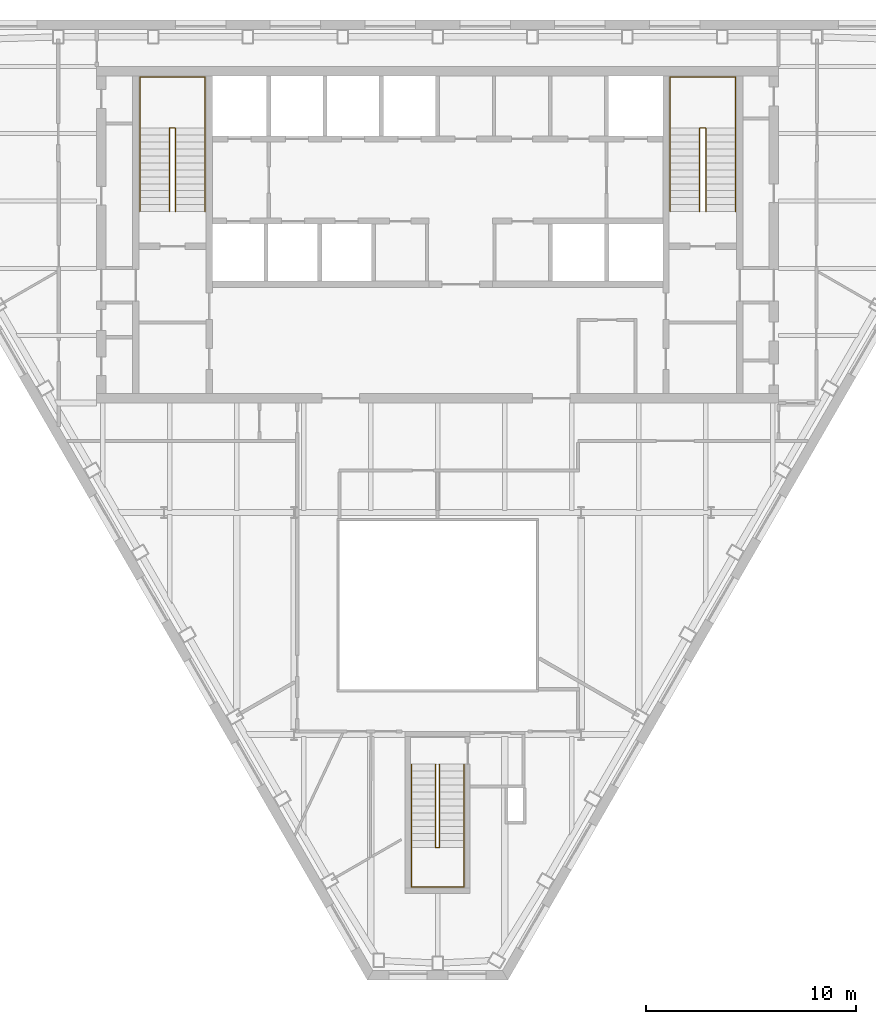
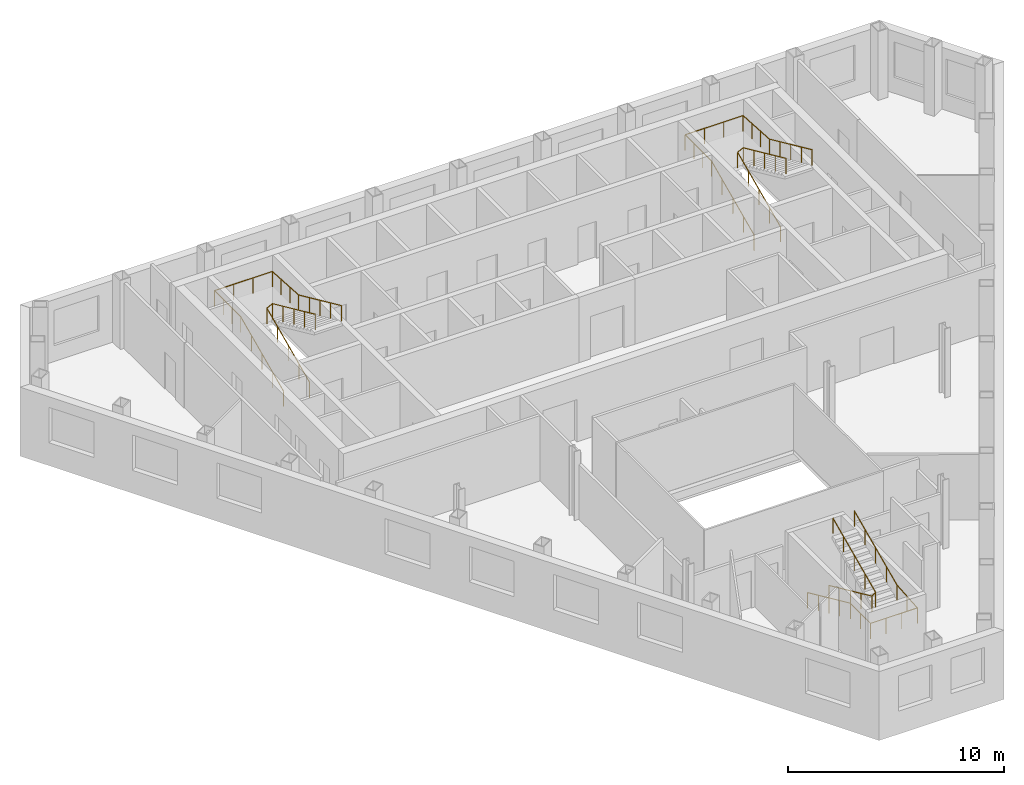
# One storey, part 10 of 10: 6 railings.
"""IFC4 building model written with IfcOpenShell, lengths in metres."""

import ifcopenshell
import ifcopenshell.guid

model = None  # the IFC model being written
_history = None  # IfcOwnerHistory: only IFC2X3 demands one
_inside = {}  # id of a spatial element -> (the spatial element, [elements in it])
_under = {}  # id of a project, library or spatial element -> (it, [spatial elements below it])
_declared = {}  # id of a project -> (the project, [libraries it declares])
_typed = {}  # id of a type object -> (the type object, [elements of that type])
_made_of = {}  # id of a material, layer set ... -> (it, [elements and type objects made of it])


def new_model(schema):
    """Start an empty IFC model of exactly this schema.

    Asked for "IFC4X3", IfcOpenShell would pick the latest addendum, in which some entities
    have other attributes; the version numbers below select the first issue.
    IFC2X3 requires an IfcOwnerHistory on every rooted entity: one is made here for all.
    """
    global model, _history
    if schema == "IFC4X3":
        model = ifcopenshell.file(schema_version=(4, 3, 0, 0))
    else:
        model = ifcopenshell.file(schema=schema)
    _inside.clear()
    _under.clear()
    _declared.clear()
    _typed.clear()
    _made_of.clear()
    _history = None
    if model.schema == "IFC2X3":
        org = make("IfcOrganization", Name="unknown")
        user = make(
            "IfcPersonAndOrganization",
            ThePerson=make("IfcPerson", FamilyName="unknown"),
            TheOrganization=org,
        )
        app = make(
            "IfcApplication",
            ApplicationDeveloper=org,
            Version="unknown",
            ApplicationFullName="unknown",
            ApplicationIdentifier="unknown",
        )
        _history = make(
            "IfcOwnerHistory",
            OwningUser=user,
            OwningApplication=app,
            ChangeAction="ADDED",
            CreationDate=0,
        )
    return model


def make(cls, **values):
    """One entity of the class cls with the attributes given. An attribute that is None is left unset."""
    return model.create_entity(
        cls, **{name: value for name, value in values.items() if value is not None}
    )


def rooted(cls, **values):
    """An entity with a GlobalId (a new one), such as an element, a storey or a relation."""
    return make(cls, GlobalId=ifcopenshell.guid.new(), OwnerHistory=_history, **values)


def si_unit(unit_type, name, prefix=None):
    """IfcSIUnit, for example si_unit("LENGTHUNIT", "METRE", prefix="MILLI")."""
    return make("IfcSIUnit", UnitType=unit_type, Prefix=prefix, Name=name)


def assignment(units):
    """IfcUnitAssignment: the units of a project."""
    return None if units is None else make("IfcUnitAssignment", Units=units)


def point(xyz):
    """IfcCartesianPoint."""
    return None if xyz is None else make("IfcCartesianPoint", Coordinates=xyz)


def direction(xyz):
    """IfcDirection."""
    return None if xyz is None else make("IfcDirection", DirectionRatios=xyz)


def frame(location, z_axis=None, x_axis=None):
    """IfcAxis2Placement3D, a coordinate frame: its origin and axes. An axis left out is left unset."""
    return make(
        "IfcAxis2Placement3D",
        Location=point(location),
        Axis=direction(z_axis),
        RefDirection=direction(x_axis),
    )


def frame_2d(location, x_axis=None):
    """IfcAxis2Placement2D, a coordinate frame in the plane: its origin and x axis."""
    return make(
        "IfcAxis2Placement2D", Location=point(location), RefDirection=direction(x_axis)
    )


def origin():
    """The frame at (0, 0, 0) with its axes left unset."""
    return frame((0.0, 0.0, 0.0))


def origin_2d():
    """The frame at (0, 0) in the plane with its x axis left unset."""
    return frame_2d((0.0, 0.0))


def place(relative_to, where):
    """IfcLocalPlacement: puts the frame where relative to a parent placement (None: the world)."""
    return make(
        "IfcLocalPlacement", PlacementRelTo=relative_to, RelativePlacement=where
    )


def context(
    kind, dimensions, precision=None, world=None, true_north=None, identifier=None
):
    """IfcGeometricRepresentationContext, for example the 3D "Model" context."""
    return make(
        "IfcGeometricRepresentationContext",
        ContextIdentifier=identifier,
        ContextType=kind,
        CoordinateSpaceDimension=dimensions,
        Precision=precision,
        WorldCoordinateSystem=world,
        TrueNorth=true_north,
    )


def subcontext(parent, identifier, kind, view, scale=None):
    """IfcGeometricRepresentationSubContext, for example "Body" below "Model"."""
    return make(
        "IfcGeometricRepresentationSubContext",
        ContextIdentifier=identifier,
        ContextType=kind,
        ParentContext=parent,
        TargetScale=scale,
        TargetView=view,
    )


def project(units=None, contexts=None):
    """IfcProject with its units and contexts."""
    return rooted(
        "IfcProject",
        Name="project",
        RepresentationContexts=contexts,
        UnitsInContext=assignment(units),
    )


def spatial(cls, under=None, at=None, **own):
    """A site, building, storey or space (cls), placed at a placement, below another one or the project."""
    s = rooted(cls, ObjectPlacement=at, **own)
    if under is not None:
        _under.setdefault(under.id(), (under, []))[1].append(s)
    return s


def profile(cls, at=None, kind="AREA", **sizes):
    """A parametric profile (cls). Its sizes go by their IFC names, for example OverallWidth=200.0."""
    return make(cls, ProfileType=kind, Position=at, **sizes)


def circle(**sizes):
    """IfcCircleProfileDef."""
    return profile("IfcCircleProfileDef", **sizes)


def extrude(swept, where, along, depth):
    """IfcExtrudedAreaSolid: the profile swept, set in the frame where, extruded along a direction by depth."""
    return make(
        "IfcExtrudedAreaSolid",
        SweptArea=swept,
        Position=where,
        ExtrudedDirection=direction(along),
        Depth=depth,
    )


def shape(context_of_items, identifier, shape_type, items):
    """IfcShapeRepresentation: the items that make up one representation, for example the "Body"."""
    return make(
        "IfcShapeRepresentation",
        ContextOfItems=context_of_items,
        RepresentationIdentifier=identifier,
        RepresentationType=shape_type,
        Items=items,
    )


def material(Name=None, Category=None):
    """IfcMaterial."""
    return make("IfcMaterial", Name=Name, Category=Category)


def made_of(thing, what):
    """Note that an element or type object is made of a material, layer set ...; save() writes the relation."""
    if what is not None:
        _made_of.setdefault(what.id(), (what, []))[1].append(thing)
    return thing


def type_object(cls, material=None, **own):
    """A type object (cls), such as IfcWallType, which elements share."""
    return made_of(rooted(cls, **own), material)


def element(
    cls,
    number,
    at=None,
    inside=None,
    cuts=None,
    type_object=None,
    material=None,
    context=None,
    identifier="Body",
    shape_type=None,
    held_by="IfcProductDefinitionShape",
    body=None,
    shapes=None,
    **own,
):
    """One element of the class cls, such as IfcWall. Its Tag is "e" and its number.

    at: its placement. inside: the storey or other place that contains it. cuts: it is an
    opening in that element (IfcRelVoidsElement). A single representation is given by context,
    identifier, shape_type and body (its items); several are given by shapes. held_by: the class
    of the entity that holds the representations. save() writes the other relations.
    """
    e = rooted(cls, Tag="e%d" % number, ObjectPlacement=at, **own)
    if body is not None:
        shapes = [shape(context, identifier, shape_type, body)]
    if shapes is not None:
        e.Representation = make(held_by, Representations=shapes)
    if inside is not None:
        _inside.setdefault(inside.id(), (inside, []))[1].append(e)
    if cuts is not None:
        rooted(
            "IfcRelVoidsElement", RelatingBuildingElement=cuts, RelatedOpeningElement=e
        )
    if type_object is not None:
        _typed.setdefault(type_object.id(), (type_object, []))[1].append(e)
    return made_of(e, material)


def aggregate(whole, parts):
    """IfcRelAggregates: a whole, such as a stair, and the parts it consists of."""
    return rooted("IfcRelAggregates", RelatingObject=whole, RelatedObjects=parts)


def save(model, path):
    """Write the relations noted so far, then the file.

    IfcRelAggregates (storeys below a building ...), IfcRelContainedInSpatialStructure (elements
    in a storey), IfcRelDefinesByType, IfcRelAssociatesMaterial and IfcRelDeclares: one each for
    every whole, place, type object, material and project.
    """
    for whole, parts in _under.values():
        aggregate(whole, parts)
    for where, things in _inside.values():
        rooted(
            "IfcRelContainedInSpatialStructure",
            RelatedElements=things,
            RelatingStructure=where,
        )
    for kind, things in _typed.values():
        rooted("IfcRelDefinesByType", RelatedObjects=things, RelatingType=kind)
    for what, things in _made_of.values():
        rooted("IfcRelAssociatesMaterial", RelatedObjects=things, RelatingMaterial=what)
    for by, libraries in _declared.values():
        rooted("IfcRelDeclares", RelatingContext=by, RelatedDefinitions=libraries)
    model.write(path)


model = new_model("IFC4")

# Units and contexts
model_context = context("Model", 3, precision=1e-05, world=origin(), true_north=direction((0.0, 1.0)))
body_context = subcontext(model_context, "Body", "Model", "MODEL_VIEW")
ifc_project = project(units=[si_unit("LENGTHUNIT", "METRE"), si_unit("AREAUNIT", "SQUARE_METRE"), si_unit("VOLUMEUNIT", "CUBIC_METRE"), si_unit("PLANEANGLEUNIT", "RADIAN"), si_unit("MASSUNIT", "GRAM", prefix="KILO")], contexts=[model_context])

# Site, building, storey
site_placement = place(None, origin())
site = spatial("IfcSite", under=ifc_project, at=site_placement, CompositionType="ELEMENT")
building_placement = place(site_placement, origin())
building = spatial("IfcBuilding", under=site, at=building_placement, Name="Njiva Tower", CompositionType="ELEMENT")
storey_placement = place(building_placement, frame((0.0, 0.0, 231.6)))
storey = spatial("IfcBuildingStorey", under=building, at=storey_placement, Name="L52", CompositionType="ELEMENT", Elevation=231.6)

# Railings
ifc_material = material(Name="Stainless steel", Category="steel")
railing_type = type_object("IfcRailingType", Name="RL1 Stair handrail 900", PredefinedType="HANDRAIL", material=ifc_material)
railing_1_placement = place(storey_placement, frame((-14.15, 11.1, 0.15)))
element("IfcRailing", 1, at=railing_1_placement, inside=storey, type_object=railing_type, Name="Stair A handrail", PredefinedType="HANDRAIL", context=body_context, shape_type="SweptSolid", body=[
    extrude(circle(Radius=0.024, at=origin_2d()), frame((0.0, 0.0, 0.876), z_axis=(0.0, 0.910366477463, 0.413802944301), x_axis=(-1.0, 0.0, 0.0)), (0.0, 0.0, 1.0), 4.3499),
    extrude(circle(Radius=0.024, at=origin_2d()), frame((0.0, 3.96, 2.676), z_axis=(0.0, 1.0, 0.0), x_axis=(-1.0, 0.0, 0.0)), (0.0, 0.0, 1.0), 2.44),
    extrude(circle(Radius=0.024, at=origin_2d()), frame((0.0, 6.4, 2.676), z_axis=(1.0, 0.0, 0.0), x_axis=(0.0, 1.0, 0.0)), (0.0, 0.0, 1.0), 3.1),
    extrude(circle(Radius=0.024, at=origin_2d()), frame((3.1, 6.4, 2.676), z_axis=(0.0, -0.998115726137, 0.061359573328), x_axis=(1.0, 0.0, 0.0)), (0.0, 0.0, 1.0), 2.4446),
    extrude(circle(Radius=0.024, at=origin_2d()), frame((3.1, 3.96, 2.826), z_axis=(0.0, -0.910366477463, 0.413802944301), x_axis=(1.0, 0.0, 0.0)), (0.0, 0.0, 1.0), 4.3499),
    extrude(circle(Radius=0.021, at=origin_2d()), origin(), (0.0, 0.0, 1.0), 0.852),
    extrude(circle(Radius=0.021, at=origin_2d()), frame((0.0, 0.99, 0.45)), (0.0, 0.0, 1.0), 0.852),
    extrude(circle(Radius=0.021, at=origin_2d()), frame((0.0, 1.98, 0.9)), (0.0, 0.0, 1.0), 0.852),
    extrude(circle(Radius=0.021, at=origin_2d()), frame((0.0, 2.97, 1.35)), (0.0, 0.0, 1.0), 0.852),
    extrude(circle(Radius=0.021, at=origin_2d()), frame((0.0, 3.96, 1.8)), (0.0, 0.0, 1.0), 0.852),
    extrude(circle(Radius=0.021, at=origin_2d()), frame((0.0, 4.7733, 1.8)), (0.0, 0.0, 1.0), 0.852),
    extrude(circle(Radius=0.021, at=origin_2d()), frame((0.0, 5.5867, 1.8)), (0.0, 0.0, 1.0), 0.852),
    extrude(circle(Radius=0.021, at=origin_2d()), frame((0.0, 6.4, 1.8)), (0.0, 0.0, 1.0), 0.852),
    extrude(circle(Radius=0.021, at=origin_2d()), frame((1.0333, 6.4, 1.8)), (0.0, 0.0, 1.0), 0.852),
    extrude(circle(Radius=0.021, at=origin_2d()), frame((2.0667, 6.4, 1.8)), (0.0, 0.0, 1.0), 0.852),
    extrude(circle(Radius=0.021, at=origin_2d()), frame((3.1, 6.4, 1.8)), (0.0, 0.0, 1.0), 0.852),
    extrude(circle(Radius=0.021, at=origin_2d()), frame((3.1, 5.5867, 1.85)), (0.0, 0.0, 1.0), 0.852),
    extrude(circle(Radius=0.021, at=origin_2d()), frame((3.1, 4.7733, 1.9)), (0.0, 0.0, 1.0), 0.852),
    extrude(circle(Radius=0.021, at=origin_2d()), frame((3.1, 3.96, 1.95)), (0.0, 0.0, 1.0), 0.852),
    extrude(circle(Radius=0.021, at=origin_2d()), frame((3.1, 2.97, 2.4)), (0.0, 0.0, 1.0), 0.852),
    extrude(circle(Radius=0.021, at=origin_2d()), frame((3.1, 1.98, 2.85)), (0.0, 0.0, 1.0), 0.852),
    extrude(circle(Radius=0.021, at=origin_2d()), frame((3.1, 0.99, 3.3)), (0.0, 0.0, 1.0), 0.852),
    extrude(circle(Radius=0.021, at=origin_2d()), frame((3.1, 0.0, 3.75)), (0.0, 0.0, 1.0), 0.852),
])
railing_2_placement = place(storey_placement, frame((-12.75, 11.1, 0.15)))
element("IfcRailing", 2, at=railing_2_placement, inside=storey, type_object=railing_type, Name="Stair A handrail", PredefinedType="HANDRAIL", context=body_context, shape_type="SweptSolid", body=[
    extrude(circle(Radius=0.024, at=origin_2d()), frame((0.0, 0.0, 0.876), z_axis=(0.0, 0.910366477463, 0.413802944301), x_axis=(-1.0, 0.0, 0.0)), (0.0, 0.0, 1.0), 4.3499),
    extrude(circle(Radius=0.024, at=origin_2d()), frame((0.0, 3.96, 2.676), z_axis=(0.894427191, 0.0, 0.4472135955), x_axis=(0.0, 1.0, 0.0)), (0.0, 0.0, 1.0), 0.3354),
    extrude(circle(Radius=0.024, at=origin_2d()), frame((0.3, 3.96, 2.826), z_axis=(0.0, -0.910366477463, 0.413802944301), x_axis=(1.0, 0.0, 0.0)), (0.0, 0.0, 1.0), 4.3499),
    extrude(circle(Radius=0.021, at=origin_2d()), origin(), (0.0, 0.0, 1.0), 0.852),
    extrude(circle(Radius=0.021, at=origin_2d()), frame((0.0, 0.99, 0.45)), (0.0, 0.0, 1.0), 0.852),
    extrude(circle(Radius=0.021, at=origin_2d()), frame((0.0, 1.98, 0.9)), (0.0, 0.0, 1.0), 0.852),
    extrude(circle(Radius=0.021, at=origin_2d()), frame((0.0, 2.97, 1.35)), (0.0, 0.0, 1.0), 0.852),
    extrude(circle(Radius=0.021, at=origin_2d()), frame((0.0, 3.96, 1.8)), (0.0, 0.0, 1.0), 0.852),
    extrude(circle(Radius=0.021, at=origin_2d()), frame((0.3, 3.96, 1.95)), (0.0, 0.0, 1.0), 0.852),
    extrude(circle(Radius=0.021, at=origin_2d()), frame((0.3, 2.97, 2.4)), (0.0, 0.0, 1.0), 0.852),
    extrude(circle(Radius=0.021, at=origin_2d()), frame((0.3, 1.98, 2.85)), (0.0, 0.0, 1.0), 0.852),
    extrude(circle(Radius=0.021, at=origin_2d()), frame((0.3, 0.99, 3.3)), (0.0, 0.0, 1.0), 0.852),
    extrude(circle(Radius=0.021, at=origin_2d()), frame((0.3, 0.0, 3.75)), (0.0, 0.0, 1.0), 0.852),
])
railing_3_placement = place(storey_placement, frame((11.05, 11.1, 0.15)))
element("IfcRailing", 3, at=railing_3_placement, inside=storey, type_object=railing_type, Name="Stair B handrail", PredefinedType="HANDRAIL", context=body_context, shape_type="SweptSolid", body=[
    extrude(circle(Radius=0.024, at=origin_2d()), frame((0.0, 0.0, 0.876), z_axis=(0.0, 0.910366477463, 0.413802944301), x_axis=(-1.0, 0.0, 0.0)), (0.0, 0.0, 1.0), 4.3499),
    extrude(circle(Radius=0.024, at=origin_2d()), frame((0.0, 3.96, 2.676), z_axis=(0.0, 1.0, 0.0), x_axis=(-1.0, 0.0, 0.0)), (0.0, 0.0, 1.0), 2.44),
    extrude(circle(Radius=0.024, at=origin_2d()), frame((0.0, 6.4, 2.676), z_axis=(1.0, 0.0, 0.0), x_axis=(0.0, 1.0, 0.0)), (0.0, 0.0, 1.0), 3.1),
    extrude(circle(Radius=0.024, at=origin_2d()), frame((3.1, 6.4, 2.676), z_axis=(0.0, -0.998115726137, 0.061359573328), x_axis=(1.0, 0.0, 0.0)), (0.0, 0.0, 1.0), 2.4446),
    extrude(circle(Radius=0.024, at=origin_2d()), frame((3.1, 3.96, 2.826), z_axis=(0.0, -0.910366477463, 0.413802944301), x_axis=(1.0, 0.0, 0.0)), (0.0, 0.0, 1.0), 4.3499),
    extrude(circle(Radius=0.021, at=origin_2d()), origin(), (0.0, 0.0, 1.0), 0.852),
    extrude(circle(Radius=0.021, at=origin_2d()), frame((0.0, 0.99, 0.45)), (0.0, 0.0, 1.0), 0.852),
    extrude(circle(Radius=0.021, at=origin_2d()), frame((0.0, 1.98, 0.9)), (0.0, 0.0, 1.0), 0.852),
    extrude(circle(Radius=0.021, at=origin_2d()), frame((0.0, 2.97, 1.35)), (0.0, 0.0, 1.0), 0.852),
    extrude(circle(Radius=0.021, at=origin_2d()), frame((0.0, 3.96, 1.8)), (0.0, 0.0, 1.0), 0.852),
    extrude(circle(Radius=0.021, at=origin_2d()), frame((0.0, 4.7733, 1.8)), (0.0, 0.0, 1.0), 0.852),
    extrude(circle(Radius=0.021, at=origin_2d()), frame((0.0, 5.5867, 1.8)), (0.0, 0.0, 1.0), 0.852),
    extrude(circle(Radius=0.021, at=origin_2d()), frame((0.0, 6.4, 1.8)), (0.0, 0.0, 1.0), 0.852),
    extrude(circle(Radius=0.021, at=origin_2d()), frame((1.0333, 6.4, 1.8)), (0.0, 0.0, 1.0), 0.852),
    extrude(circle(Radius=0.021, at=origin_2d()), frame((2.0667, 6.4, 1.8)), (0.0, 0.0, 1.0), 0.852),
    extrude(circle(Radius=0.021, at=origin_2d()), frame((3.1, 6.4, 1.8)), (0.0, 0.0, 1.0), 0.852),
    extrude(circle(Radius=0.021, at=origin_2d()), frame((3.1, 5.5867, 1.85)), (0.0, 0.0, 1.0), 0.852),
    extrude(circle(Radius=0.021, at=origin_2d()), frame((3.1, 4.7733, 1.9)), (0.0, 0.0, 1.0), 0.852),
    extrude(circle(Radius=0.021, at=origin_2d()), frame((3.1, 3.96, 1.95)), (0.0, 0.0, 1.0), 0.852),
    extrude(circle(Radius=0.021, at=origin_2d()), frame((3.1, 2.97, 2.4)), (0.0, 0.0, 1.0), 0.852),
    extrude(circle(Radius=0.021, at=origin_2d()), frame((3.1, 1.98, 2.85)), (0.0, 0.0, 1.0), 0.852),
    extrude(circle(Radius=0.021, at=origin_2d()), frame((3.1, 0.99, 3.3)), (0.0, 0.0, 1.0), 0.852),
    extrude(circle(Radius=0.021, at=origin_2d()), frame((3.1, 0.0, 3.75)), (0.0, 0.0, 1.0), 0.852),
])
railing_4_placement = place(storey_placement, frame((12.45, 11.1, 0.15)))
element("IfcRailing", 4, at=railing_4_placement, inside=storey, type_object=railing_type, Name="Stair B handrail", PredefinedType="HANDRAIL", context=body_context, shape_type="SweptSolid", body=[
    extrude(circle(Radius=0.024, at=origin_2d()), frame((0.0, 0.0, 0.876), z_axis=(0.0, 0.910366477463, 0.413802944301), x_axis=(-1.0, 0.0, 0.0)), (0.0, 0.0, 1.0), 4.3499),
    extrude(circle(Radius=0.024, at=origin_2d()), frame((0.0, 3.96, 2.676), z_axis=(0.894427191, 0.0, 0.4472135955), x_axis=(0.0, 1.0, 0.0)), (0.0, 0.0, 1.0), 0.3354),
    extrude(circle(Radius=0.024, at=origin_2d()), frame((0.3, 3.96, 2.826), z_axis=(0.0, -0.910366477463, 0.413802944301), x_axis=(1.0, 0.0, 0.0)), (0.0, 0.0, 1.0), 4.3499),
    extrude(circle(Radius=0.021, at=origin_2d()), origin(), (0.0, 0.0, 1.0), 0.852),
    extrude(circle(Radius=0.021, at=origin_2d()), frame((0.0, 0.99, 0.45)), (0.0, 0.0, 1.0), 0.852),
    extrude(circle(Radius=0.021, at=origin_2d()), frame((0.0, 1.98, 0.9)), (0.0, 0.0, 1.0), 0.852),
    extrude(circle(Radius=0.021, at=origin_2d()), frame((0.0, 2.97, 1.35)), (0.0, 0.0, 1.0), 0.852),
    extrude(circle(Radius=0.021, at=origin_2d()), frame((0.0, 3.96, 1.8)), (0.0, 0.0, 1.0), 0.852),
    extrude(circle(Radius=0.021, at=origin_2d()), frame((0.3, 3.96, 1.95)), (0.0, 0.0, 1.0), 0.852),
    extrude(circle(Radius=0.021, at=origin_2d()), frame((0.3, 2.97, 2.4)), (0.0, 0.0, 1.0), 0.852),
    extrude(circle(Radius=0.021, at=origin_2d()), frame((0.3, 1.98, 2.85)), (0.0, 0.0, 1.0), 0.852),
    extrude(circle(Radius=0.021, at=origin_2d()), frame((0.3, 0.99, 3.3)), (0.0, 0.0, 1.0), 0.852),
    extrude(circle(Radius=0.021, at=origin_2d()), frame((0.3, 0.0, 3.75)), (0.0, 0.0, 1.0), 0.852),
])
railing_5_placement = place(storey_placement, frame((-1.25, -15.16, 0.15)))
element("IfcRailing", 5, at=railing_5_placement, inside=storey, type_object=railing_type, Name="Stair C handrail", PredefinedType="HANDRAIL", context=body_context, shape_type="SweptSolid", body=[
    extrude(circle(Radius=0.024, at=origin_2d()), frame((0.0, 0.0, 0.876), z_axis=(0.0, -0.910366477463, 0.413802944301), x_axis=(1.0, 0.0, 0.0)), (0.0, 0.0, 1.0), 4.3499),
    extrude(circle(Radius=0.024, at=origin_2d()), frame((0.0, -3.96, 2.676), z_axis=(0.0, -1.0, 0.0), x_axis=(1.0, 0.0, 0.0)), (0.0, 0.0, 1.0), 1.88),
    extrude(circle(Radius=0.024, at=origin_2d()), frame((0.0, -5.84, 2.676), z_axis=(1.0, 0.0, 0.0), x_axis=(0.0, 1.0, 0.0)), (0.0, 0.0, 1.0), 2.5),
    extrude(circle(Radius=0.024, at=origin_2d()), frame((2.5, -5.84, 2.676), z_axis=(0.0, 0.996832115713, 0.079534477318), x_axis=(-1.0, 0.0, 0.0)), (0.0, 0.0, 1.0), 1.886),
    extrude(circle(Radius=0.024, at=origin_2d()), frame((2.5, -3.96, 2.826), z_axis=(0.0, 0.910366477463, 0.413802944301), x_axis=(-1.0, 0.0, 0.0)), (0.0, 0.0, 1.0), 4.3499),
    extrude(circle(Radius=0.021, at=origin_2d()), origin(), (0.0, 0.0, 1.0), 0.852),
    extrude(circle(Radius=0.021, at=origin_2d()), frame((0.0, -0.99, 0.45)), (0.0, 0.0, 1.0), 0.852),
    extrude(circle(Radius=0.021, at=origin_2d()), frame((0.0, -1.98, 0.9)), (0.0, 0.0, 1.0), 0.852),
    extrude(circle(Radius=0.021, at=origin_2d()), frame((0.0, -2.97, 1.35)), (0.0, 0.0, 1.0), 0.852),
    extrude(circle(Radius=0.021, at=origin_2d()), frame((0.0, -3.96, 1.8)), (0.0, 0.0, 1.0), 0.852),
    extrude(circle(Radius=0.021, at=origin_2d()), frame((0.0, -4.9, 1.8)), (0.0, 0.0, 1.0), 0.852),
    extrude(circle(Radius=0.021, at=origin_2d()), frame((0.0, -5.84, 1.8)), (0.0, 0.0, 1.0), 0.852),
    extrude(circle(Radius=0.021, at=origin_2d()), frame((0.8333, -5.84, 1.8)), (0.0, 0.0, 1.0), 0.852),
    extrude(circle(Radius=0.021, at=origin_2d()), frame((1.6667, -5.84, 1.8)), (0.0, 0.0, 1.0), 0.852),
    extrude(circle(Radius=0.021, at=origin_2d()), frame((2.5, -5.84, 1.8)), (0.0, 0.0, 1.0), 0.852),
    extrude(circle(Radius=0.021, at=origin_2d()), frame((2.5, -4.9, 1.875)), (0.0, 0.0, 1.0), 0.852),
    extrude(circle(Radius=0.021, at=origin_2d()), frame((2.5, -3.96, 1.95)), (0.0, 0.0, 1.0), 0.852),
    extrude(circle(Radius=0.021, at=origin_2d()), frame((2.5, -2.97, 2.4)), (0.0, 0.0, 1.0), 0.852),
    extrude(circle(Radius=0.021, at=origin_2d()), frame((2.5, -1.98, 2.85)), (0.0, 0.0, 1.0), 0.852),
    extrude(circle(Radius=0.021, at=origin_2d()), frame((2.5, -0.99, 3.3)), (0.0, 0.0, 1.0), 0.852),
    extrude(circle(Radius=0.021, at=origin_2d()), frame((2.5, 0.0, 3.75)), (0.0, 0.0, 1.0), 0.852),
])
railing_6_placement = place(storey_placement, frame((-0.1, -15.16, 0.15)))
element("IfcRailing", 6, at=railing_6_placement, inside=storey, type_object=railing_type, Name="Stair C handrail", PredefinedType="HANDRAIL", context=body_context, shape_type="SweptSolid", body=[
    extrude(circle(Radius=0.024, at=origin_2d()), frame((0.0, 0.0, 0.876), z_axis=(0.0, -0.910366477463, 0.413802944301), x_axis=(1.0, 0.0, 0.0)), (0.0, 0.0, 1.0), 4.3499),
    extrude(circle(Radius=0.024, at=origin_2d()), frame((0.0, -3.96, 2.676), z_axis=(0.8, 0.0, 0.6), x_axis=(0.0, 1.0, 0.0)), (0.0, 0.0, 1.0), 0.25),
    extrude(circle(Radius=0.024, at=origin_2d()), frame((0.2, -3.96, 2.826), z_axis=(0.0, 0.910366477463, 0.413802944301), x_axis=(-1.0, 0.0, 0.0)), (0.0, 0.0, 1.0), 4.3499),
    extrude(circle(Radius=0.021, at=origin_2d()), origin(), (0.0, 0.0, 1.0), 0.852),
    extrude(circle(Radius=0.021, at=origin_2d()), frame((0.0, -0.99, 0.45)), (0.0, 0.0, 1.0), 0.852),
    extrude(circle(Radius=0.021, at=origin_2d()), frame((0.0, -1.98, 0.9)), (0.0, 0.0, 1.0), 0.852),
    extrude(circle(Radius=0.021, at=origin_2d()), frame((0.0, -2.97, 1.35)), (0.0, 0.0, 1.0), 0.852),
    extrude(circle(Radius=0.021, at=origin_2d()), frame((0.0, -3.96, 1.8)), (0.0, 0.0, 1.0), 0.852),
    extrude(circle(Radius=0.021, at=origin_2d()), frame((0.2, -3.96, 1.95)), (0.0, 0.0, 1.0), 0.852),
    extrude(circle(Radius=0.021, at=origin_2d()), frame((0.2, -2.97, 2.4)), (0.0, 0.0, 1.0), 0.852),
    extrude(circle(Radius=0.021, at=origin_2d()), frame((0.2, -1.98, 2.85)), (0.0, 0.0, 1.0), 0.852),
    extrude(circle(Radius=0.021, at=origin_2d()), frame((0.2, -0.99, 3.3)), (0.0, 0.0, 1.0), 0.852),
    extrude(circle(Radius=0.021, at=origin_2d()), frame((0.2, 0.0, 3.75)), (0.0, 0.0, 1.0), 0.852),
])

save(model, "model.ifc")
